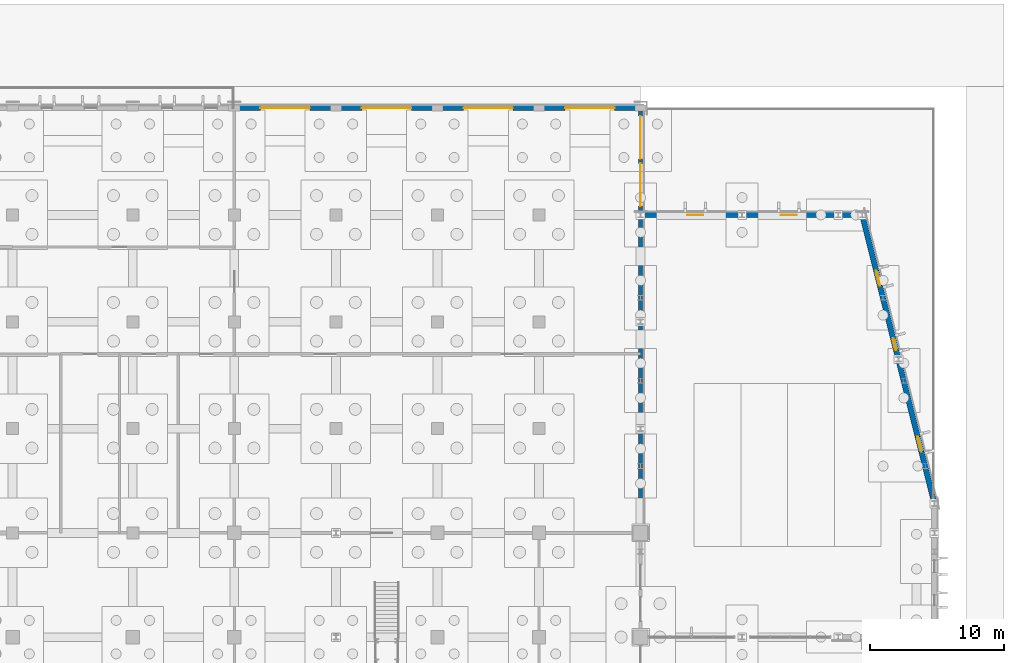
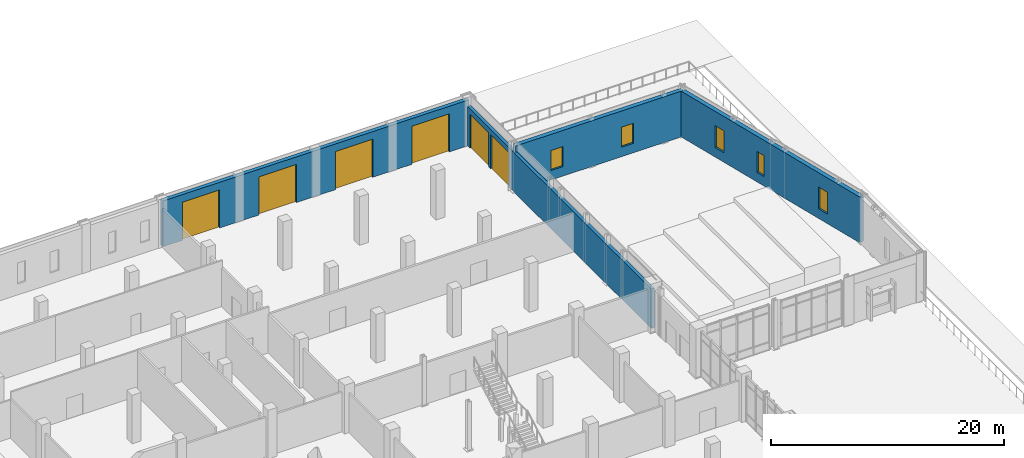
# One storey, part 70 of 94: 6 doors, 5 windows, 4 walls, 11 openings.
"""IFC4 building model written with IfcOpenShell, lengths in metres."""

from ifc_helpers import new_model, si_unit, direction, frame, frame_2d, origin, place, context, subcontext, project, spatial, rectangle, extrude, material, layer, layer_set, type_object, element, fill, save


model = new_model("IFC4")

# Units and contexts
model_context = context("Model", 3, precision=1e-05, world=origin(), true_north=direction((0.0, 1.0)))
body_context = subcontext(model_context, "Body", "Model", "MODEL_VIEW")
ifc_project = project(units=[si_unit("LENGTHUNIT", "METRE"), si_unit("AREAUNIT", "SQUARE_METRE"), si_unit("VOLUMEUNIT", "CUBIC_METRE"), si_unit("PLANEANGLEUNIT", "RADIAN"), si_unit("MASSUNIT", "GRAM", prefix="KILO")], contexts=[model_context])

# Site, building, storey
site_placement = place(None, origin())
site = spatial("IfcSite", under=ifc_project, at=site_placement, CompositionType="ELEMENT")
building_placement = place(site_placement, origin())
building = spatial("IfcBuilding", under=site, at=building_placement, Name="Vervanel Yard Central Library", CompositionType="ELEMENT")
storey_placement = place(building_placement, origin())
storey = spatial("IfcBuildingStorey", under=building, at=storey_placement, Name="L00", CompositionType="ELEMENT", Elevation=0.0)

# Wall, openings, windows
ifc_material_1 = material(Name="Concrete C45/55", Category="concrete")
ifc_layer_1 = layer(ifc_material_1, 0.419921875, Category="concrete")
ifc_layer_set_1 = layer_set([ifc_layer_1], Name="Concrete C45/55")
wall_type_1 = type_object("IfcWallType", Name="Auditorium Acoustic Shell Exterior Wall 420", PredefinedType="SOLIDWALL", material=ifc_layer_set_1)
wall_1_placement = place(storey_placement, frame((168.0, 84.39990234375, 0.0), z_axis=(0.0, 0.0, 1.0), x_axis=(-0.242530464893, 0.970143790167, 0.0)))
wall_1 = element("IfcWall", 1, at=wall_1_placement, inside=storey, type_object=wall_type_1, Name="L00 Auditorium Acoustic Shell Exterior Wall 420 EWALL-L00-0180", PredefinedType="SOLIDWALL", context=body_context, shape_type="SweptSolid", body=[
    extrude(rectangle(XDim=22.264892578125, YDim=0.419921875, at=frame_2d((11.13232421875, 0.0))), origin(), (0.0, 0.0, 1.0), 4.800048828125),
])
opening_1_placement = place(wall_1_placement, frame((4.0, 0.0, 1.0)))
opening_1 = element("IfcOpeningElement", 2, at=opening_1_placement, cuts=wall_1, Name="Opening WN-19", PredefinedType="OPENING", context=body_context, shape_type="SweptSolid", body=[
    extrude(rectangle(XDim=1.14990234375, YDim=2.300048828125, at=frame_2d((0.574951171875, 1.14990234375))), frame((0.0, 0.219970703125, 0.0), z_axis=(0.0, -1.0, 0.0), x_axis=(1.0, 0.0, 0.0)), (0.0, 0.0, 1.0), 0.43994140625),
])
opening_2_placement = place(wall_1_placement, frame((11.85009765625, 0.0, 1.0)))
opening_2 = element("IfcOpeningElement", 3, at=opening_2_placement, cuts=wall_1, Name="Opening WN-05", PredefinedType="OPENING", context=body_context, shape_type="SweptSolid", body=[
    extrude(rectangle(XDim=0.89990234375, YDim=2.199951171875, at=frame_2d((0.449951171875, 1.10009765625))), frame((0.0, 0.219970703125, 0.0), z_axis=(0.0, -1.0, 0.0), x_axis=(1.0, 0.0, 0.0)), (0.0, 0.0, 1.0), 0.43994140625),
])
opening_3_placement = place(wall_1_placement, frame((16.800048828125, 0.0, 1.0)))
opening_3 = element("IfcOpeningElement", 4, at=opening_3_placement, cuts=wall_1, Name="Opening WN-19", PredefinedType="OPENING", context=body_context, shape_type="SweptSolid", body=[
    extrude(rectangle(XDim=1.14990234375, YDim=2.300048828125, at=frame_2d((0.574951171875, 1.14990234375))), frame((0.0, 0.219970703125, 0.0), z_axis=(0.0, -1.0, 0.0), x_axis=(1.0, 0.0, 0.0)), (0.0, 0.0, 1.0), 0.43994140625),
])
ifc_material_2 = material(Name="Double low-E laminated solar-control glass", Category="glass")
window_type_1 = type_object("IfcWindowType", Name="Reading Tall Slot Window 1150x2300", PartitioningType="SINGLE_PANEL", PredefinedType="WINDOW", material=ifc_material_2)
window_1_placement = place(opening_1_placement, origin())
window_1 = element("IfcWindow", 5, at=window_1_placement, inside=storey, type_object=window_type_1, Name="L00 Reading Tall Slot Window 1150x2300 220", OverallHeight=2.300048828125, OverallWidth=1.14990234375, PartitioningType="SINGLE_PANEL", PredefinedType="WINDOW", context=body_context, shape_type="SweptSolid", body=[
    extrude(rectangle(XDim=1.14990234375, YDim=2.300048828125, at=frame_2d((0.574951171875, 1.14990234375))), frame((0.0, 0.030029296875, 0.0), z_axis=(0.0, -1.0, 0.0), x_axis=(1.0, 0.0, 0.0)), (0.0, 0.0, 1.0), 0.06005859375),
])
fill(opening_1, window_1)
window_2_placement = place(opening_3_placement, origin())
window_2 = element("IfcWindow", 6, at=window_2_placement, inside=storey, type_object=window_type_1, Name="L00 Reading Tall Slot Window 1150x2300 222", OverallHeight=2.300048828125, OverallWidth=1.14990234375, PartitioningType="SINGLE_PANEL", PredefinedType="WINDOW", context=body_context, shape_type="SweptSolid", body=[
    extrude(rectangle(XDim=1.14990234375, YDim=2.300048828125, at=frame_2d((0.574951171875, 1.14990234375))), frame((0.0, 0.030029296875, 0.0), z_axis=(0.0, -1.0, 0.0), x_axis=(1.0, 0.0, 0.0)), (0.0, 0.0, 1.0), 0.06005859375),
])
fill(opening_3, window_2)
window_type_2 = type_object("IfcWindowType", Name="Stack Deep-Reveal Window 900x2200", PartitioningType="SINGLE_PANEL", PredefinedType="WINDOW", material=ifc_material_2)
window_3_placement = place(opening_2_placement, origin())
window_3 = element("IfcWindow", 7, at=window_3_placement, inside=storey, type_object=window_type_2, Name="L00 Stack Deep-Reveal Window 900x2200 221", OverallHeight=2.199951171875, OverallWidth=0.89990234375, PartitioningType="SINGLE_PANEL", PredefinedType="WINDOW", context=body_context, shape_type="SweptSolid", body=[
    extrude(rectangle(XDim=0.89990234375, YDim=2.199951171875, at=frame_2d((0.449951171875, 1.10009765625))), frame((0.0, 0.030029296875, 0.0), z_axis=(0.0, -1.0, 0.0), x_axis=(1.0, 0.0, 0.0)), (0.0, 0.0, 1.0), 0.06005859375),
])
fill(opening_2, window_3)

wall_2_placement = place(storey_placement, frame((146.0, 106.0, 0.0), z_axis=(0.0, 0.0, 1.0), x_axis=(1.0, 0.0, 0.0)))
wall_2 = element("IfcWall", 8, at=wall_2_placement, inside=storey, type_object=wall_type_1, Name="L00 Auditorium Acoustic Shell Exterior Wall 420 EWALL-L00-0181", PredefinedType="SOLIDWALL", context=body_context, shape_type="SweptSolid", body=[
    extrude(rectangle(XDim=16.60009765625, YDim=0.419921875, at=frame_2d((8.300048828125, 0.0))), origin(), (0.0, 0.0, 1.0), 4.800048828125),
])
opening_4_placement = place(wall_2_placement, frame((3.5, 0.0, 1.0)))
opening_4 = element("IfcOpeningElement", 9, at=opening_4_placement, cuts=wall_2, Name="Opening WN-01", PredefinedType="OPENING", context=body_context, shape_type="SweptSolid", body=[
    extrude(rectangle(XDim=1.199951171875, YDim=2.10009765625, at=frame_2d((0.60009765625, 1.050048828125))), frame((0.0, 0.219970703125, 0.0), z_axis=(0.0, -1.0, 0.0), x_axis=(1.0, 0.0, 0.0)), (0.0, 0.0, 1.0), 0.43994140625),
])
opening_5_placement = place(wall_2_placement, frame((10.5, 0.0, 1.0)))
opening_5 = element("IfcOpeningElement", 10, at=opening_5_placement, cuts=wall_2, Name="Opening WN-01", PredefinedType="OPENING", context=body_context, shape_type="SweptSolid", body=[
    extrude(rectangle(XDim=1.199951171875, YDim=2.10009765625, at=frame_2d((0.60009765625, 1.050048828125))), frame((0.0, 0.219970703125, 0.0), z_axis=(0.0, -1.0, 0.0), x_axis=(1.0, 0.0, 0.0)), (0.0, 0.0, 1.0), 0.43994140625),
])
window_type_3 = type_object("IfcWindowType", Name="Reading Slot Window 1200x2100", PartitioningType="SINGLE_PANEL", PredefinedType="WINDOW", material=ifc_material_2)
window_4_placement = place(opening_4_placement, origin())
window_4 = element("IfcWindow", 11, at=window_4_placement, inside=storey, type_object=window_type_3, Name="L00 Reading Slot Window 1200x2100 223", OverallHeight=2.10009765625, OverallWidth=1.199951171875, PartitioningType="SINGLE_PANEL", PredefinedType="WINDOW", context=body_context, shape_type="SweptSolid", body=[
    extrude(rectangle(XDim=1.199951171875, YDim=2.10009765625, at=frame_2d((0.60009765625, 1.050048828125))), frame((0.0, 0.030029296875, 0.0), z_axis=(0.0, -1.0, 0.0), x_axis=(1.0, 0.0, 0.0)), (0.0, 0.0, 1.0), 0.06005859375),
])
fill(opening_4, window_4)
window_5_placement = place(opening_5_placement, origin())
window_5 = element("IfcWindow", 12, at=window_5_placement, inside=storey, type_object=window_type_3, Name="L00 Reading Slot Window 1200x2100 224", OverallHeight=2.10009765625, OverallWidth=1.199951171875, PartitioningType="SINGLE_PANEL", PredefinedType="WINDOW", context=body_context, shape_type="SweptSolid", body=[
    extrude(rectangle(XDim=1.199951171875, YDim=2.10009765625, at=frame_2d((0.60009765625, 1.050048828125))), frame((0.0, 0.030029296875, 0.0), z_axis=(0.0, -1.0, 0.0), x_axis=(1.0, 0.0, 0.0)), (0.0, 0.0, 1.0), 0.06005859375),
])
fill(opening_5, window_5)

# Wall, openings, doors
ifc_material_3 = material(Name="Precast concrete C45/55", Category="concrete")
ifc_layer_2 = layer(ifc_material_3, 0.300048828125, Category="concrete")
ifc_layer_set_2 = layer_set([ifc_layer_2], Name="Precast concrete C45/55")
wall_type_2 = type_object("IfcWallType", Name="Bush-Hammered Precast Cladding Wall 300", PredefinedType="SOLIDWALL", material=ifc_layer_set_2)
wall_3_placement = place(storey_placement, frame((146.0, 82.199951171875, 0.0), z_axis=(0.0, 0.0, 1.0), x_axis=(0.0, 1.0, 0.0)))
wall_3 = element("IfcWall", 13, at=wall_3_placement, inside=storey, type_object=wall_type_2, Name="L00 Bush-Hammered Precast Cladding Wall 300 EWALL-L00-0018", PredefinedType="SOLIDWALL", context=body_context, shape_type="SweptSolid", body=[
    extrude(rectangle(XDim=31.800048828125, YDim=0.300048828125, at=frame_2d((15.89990234375, 0.0))), origin(), (0.0, 0.0, 1.0), 4.14501953125),
])
opening_6_placement = place(wall_3_placement, frame((24.449951171875, 0.0, 0.0)))
opening_6 = element("IfcOpeningElement", 14, at=opening_6_placement, cuts=wall_3, Name="Opening GT-02", PredefinedType="OPENING", context=body_context, shape_type="SweptSolid", body=[
    extrude(rectangle(XDim=3.199951171875, YDim=3.60009765625, at=frame_2d((1.60009765625, 1.800048828125))), frame((0.0, 0.159912109375, 0.0), z_axis=(0.0, -1.0, 0.0), x_axis=(1.0, 0.0, 0.0)), (0.0, 0.0, 1.0), 0.320068359375),
])
opening_7_placement = place(wall_3_placement, frame((28.0, 0.0, 0.0)))
opening_7 = element("IfcOpeningElement", 15, at=opening_7_placement, cuts=wall_3, Name="Opening GT-02", PredefinedType="OPENING", context=body_context, shape_type="SweptSolid", body=[
    extrude(rectangle(XDim=3.199951171875, YDim=3.60009765625, at=frame_2d((1.60009765625, 1.800048828125))), frame((0.0, 0.159912109375, 0.0), z_axis=(0.0, -1.0, 0.0), x_axis=(1.0, 0.0, 0.0)), (0.0, 0.0, 1.0), 0.320068359375),
])
ifc_material_4 = material(Name="Galvanized hollow steel door assembly", Category="steel")
door_type_1 = type_object("IfcDoorType", Name="Service Yard Insulated Bi-Fold Gate 3200x3600", OperationType="NOTDEFINED", PredefinedType="GATE", material=ifc_material_4)
door_1_placement = place(opening_6_placement, frame((3.199951171875, 0.0, 0.0), z_axis=(0.0, 0.0, 1.0), x_axis=(-1.0, 0.0, 0.0)))
door_1 = element("IfcDoor", 16, at=door_1_placement, inside=storey, type_object=door_type_1, Name="L00 Service Yard Insulated Bi-Fold Gate 3200x3600 8", OperationType="DOUBLE_DOOR_FOLDING", OverallHeight=3.60009765625, OverallWidth=3.199951171875, PredefinedType="GATE", context=body_context, shape_type="SweptSolid", body=[
    extrude(rectangle(XDim=3.199951171875, YDim=3.60009765625, at=frame_2d((1.60009765625, 1.800048828125))), frame((0.0, 0.02490234375, 0.0), z_axis=(0.0, -1.0, 0.0), x_axis=(1.0, 0.0, 0.0)), (0.0, 0.0, 1.0), 0.050048828125),
])
fill(opening_6, door_1)
door_2_placement = place(opening_7_placement, frame((3.199951171875, 0.0, 0.0), z_axis=(0.0, 0.0, 1.0), x_axis=(-1.0, 0.0, 0.0)))
door_2 = element("IfcDoor", 17, at=door_2_placement, inside=storey, type_object=door_type_1, Name="L00 Service Yard Insulated Bi-Fold Gate 3200x3600 9", OperationType="DOUBLE_DOOR_FOLDING", OverallHeight=3.60009765625, OverallWidth=3.199951171875, PredefinedType="GATE", context=body_context, shape_type="SweptSolid", body=[
    extrude(rectangle(XDim=3.199951171875, YDim=3.60009765625, at=frame_2d((1.60009765625, 1.800048828125))), frame((0.0, 0.02490234375, 0.0), z_axis=(0.0, -1.0, 0.0), x_axis=(1.0, 0.0, 0.0)), (0.0, 0.0, 1.0), 0.050048828125),
])
fill(opening_7, door_2)

ifc_layer_3 = layer(ifc_material_1, 0.3798828125, Category="concrete")
ifc_layer_set_3 = layer_set([ifc_layer_3], Name="Concrete C45/55")
wall_type_3 = type_object("IfcWallType", Name="Exterior Bearing Concrete Spine Wall 380", PredefinedType="SOLIDWALL", material=ifc_layer_set_3)
wall_4_placement = place(storey_placement, frame((115.60009765625, 114.0, 0.0), z_axis=(0.0, 0.0, 1.0), x_axis=(1.0, 0.0, 0.0)))
wall_4 = element("IfcWall", 18, at=wall_4_placement, inside=storey, type_object=wall_type_3, Name="L00 Exterior Bearing Concrete Spine Wall 380 EWALL-L00-0010", PredefinedType="SOLIDWALL", context=body_context, shape_type="SweptSolid", body=[
    extrude(rectangle(XDim=30.39990234375, YDim=0.3798828125, at=frame_2d((15.199951171875, 0.0))), origin(), (0.0, 0.0, 1.0), 4.800048828125),
])
opening_8_placement = place(wall_4_placement, frame((1.949951171875, 0.0, 0.0)))
opening_8 = element("IfcOpeningElement", 19, at=opening_8_placement, cuts=wall_4, Name="Opening GT-01", PredefinedType="OPENING", context=body_context, shape_type="SweptSolid", body=[
    extrude(rectangle(XDim=3.699951171875, YDim=4.0, at=frame_2d((1.85009765625, 2.0))), frame((0.0, 0.199951171875, 0.0), z_axis=(0.0, -1.0, 0.0), x_axis=(1.0, 0.0, 0.0)), (0.0, 0.0, 1.0), 0.39990234375),
])
opening_9_placement = place(wall_4_placement, frame((9.550048828125, 0.0, 0.0)))
opening_9 = element("IfcOpeningElement", 20, at=opening_9_placement, cuts=wall_4, Name="Opening GT-01", PredefinedType="OPENING", context=body_context, shape_type="SweptSolid", body=[
    extrude(rectangle(XDim=3.699951171875, YDim=4.0, at=frame_2d((1.85009765625, 2.0))), frame((0.0, 0.199951171875, 0.0), z_axis=(0.0, -1.0, 0.0), x_axis=(1.0, 0.0, 0.0)), (0.0, 0.0, 1.0), 0.39990234375),
])
opening_10_placement = place(wall_4_placement, frame((17.14990234375, 0.0, 0.0)))
opening_10 = element("IfcOpeningElement", 21, at=opening_10_placement, cuts=wall_4, Name="Opening GT-01", PredefinedType="OPENING", context=body_context, shape_type="SweptSolid", body=[
    extrude(rectangle(XDim=3.699951171875, YDim=4.0, at=frame_2d((1.85009765625, 2.0))), frame((0.0, 0.199951171875, 0.0), z_axis=(0.0, -1.0, 0.0), x_axis=(1.0, 0.0, 0.0)), (0.0, 0.0, 1.0), 0.39990234375),
])
opening_11_placement = place(wall_4_placement, frame((24.75, 0.0, 0.0)))
opening_11 = element("IfcOpeningElement", 22, at=opening_11_placement, cuts=wall_4, Name="Opening GT-01", PredefinedType="OPENING", context=body_context, shape_type="SweptSolid", body=[
    extrude(rectangle(XDim=3.699951171875, YDim=4.0, at=frame_2d((1.85009765625, 2.0))), frame((0.0, 0.199951171875, 0.0), z_axis=(0.0, -1.0, 0.0), x_axis=(1.0, 0.0, 0.0)), (0.0, 0.0, 1.0), 0.39990234375),
])
door_type_2 = type_object("IfcDoorType", Name="Loading Bay Insulated Roller Shutter Gate 3700x4000", OperationType="NOTDEFINED", PredefinedType="GATE", material=ifc_material_4)
door_3_placement = place(opening_8_placement, origin())
door_3 = element("IfcDoor", 23, at=door_3_placement, inside=storey, type_object=door_type_2, Name="L00 Loading Bay Insulated Roller Shutter Gate 3700x4000 3", OperationType="ROLLINGUP", OverallHeight=4.0, OverallWidth=3.699951171875, PredefinedType="GATE", context=body_context, shape_type="SweptSolid", body=[
    extrude(rectangle(XDim=3.699951171875, YDim=4.0, at=frame_2d((1.85009765625, 2.0))), frame((0.0, 0.02490234375, 0.0), z_axis=(0.0, -1.0, 0.0), x_axis=(1.0, 0.0, 0.0)), (0.0, 0.0, 1.0), 0.050048828125),
])
fill(opening_8, door_3)
door_4_placement = place(opening_9_placement, origin())
door_4 = element("IfcDoor", 24, at=door_4_placement, inside=storey, type_object=door_type_2, Name="L00 Loading Bay Insulated Roller Shutter Gate 3700x4000 4", OperationType="ROLLINGUP", OverallHeight=4.0, OverallWidth=3.699951171875, PredefinedType="GATE", context=body_context, shape_type="SweptSolid", body=[
    extrude(rectangle(XDim=3.699951171875, YDim=4.0, at=frame_2d((1.85009765625, 2.0))), frame((0.0, 0.02490234375, 0.0), z_axis=(0.0, -1.0, 0.0), x_axis=(1.0, 0.0, 0.0)), (0.0, 0.0, 1.0), 0.050048828125),
])
fill(opening_9, door_4)
door_5_placement = place(opening_10_placement, origin())
door_5 = element("IfcDoor", 25, at=door_5_placement, inside=storey, type_object=door_type_2, Name="L00 Loading Bay Insulated Roller Shutter Gate 3700x4000 5", OperationType="ROLLINGUP", OverallHeight=4.0, OverallWidth=3.699951171875, PredefinedType="GATE", context=body_context, shape_type="SweptSolid", body=[
    extrude(rectangle(XDim=3.699951171875, YDim=4.0, at=frame_2d((1.85009765625, 2.0))), frame((0.0, 0.02490234375, 0.0), z_axis=(0.0, -1.0, 0.0), x_axis=(1.0, 0.0, 0.0)), (0.0, 0.0, 1.0), 0.050048828125),
])
fill(opening_10, door_5)
door_6_placement = place(opening_11_placement, origin())
door_6 = element("IfcDoor", 26, at=door_6_placement, inside=storey, type_object=door_type_2, Name="L00 Loading Bay Insulated Roller Shutter Gate 3700x4000 6", OperationType="ROLLINGUP", OverallHeight=4.0, OverallWidth=3.699951171875, PredefinedType="GATE", context=body_context, shape_type="SweptSolid", body=[
    extrude(rectangle(XDim=3.699951171875, YDim=4.0, at=frame_2d((1.85009765625, 2.0))), frame((0.0, 0.02490234375, 0.0), z_axis=(0.0, -1.0, 0.0), x_axis=(1.0, 0.0, 0.0)), (0.0, 0.0, 1.0), 0.050048828125),
])
fill(opening_11, door_6)

save(model, "model.ifc")
